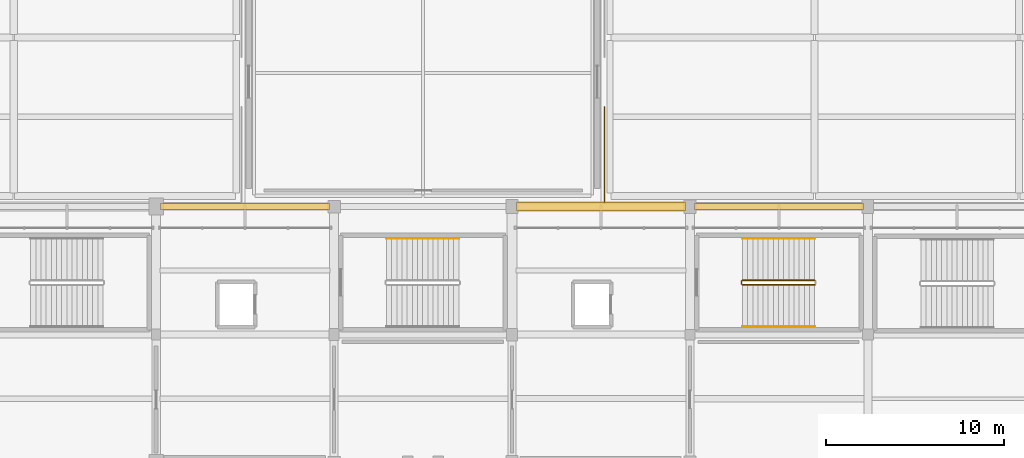
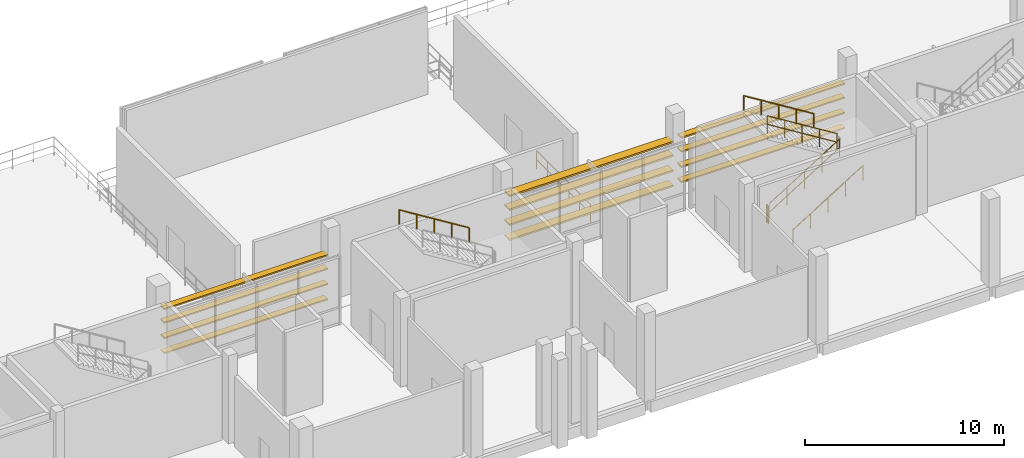
# One storey, part 107 of 111: 12 shading devices, 7 railings.
"""IFC4 building model written with IfcOpenShell, lengths in metres."""

from ifc_helpers import new_model, si_unit, direction, frame, origin, origin_2d, place, context, subcontext, project, spatial, rectangle, circle, extrude, material, layer, layer_set, type_object, element, save


model = new_model("IFC4")

# Units and contexts
model_context = context("Model", 3, precision=1e-05, world=origin(), true_north=direction((0.0, 1.0)))
body_context = subcontext(model_context, "Body", "Model", "MODEL_VIEW")
ifc_project = project(units=[si_unit("LENGTHUNIT", "METRE"), si_unit("AREAUNIT", "SQUARE_METRE"), si_unit("VOLUMEUNIT", "CUBIC_METRE"), si_unit("PLANEANGLEUNIT", "RADIAN"), si_unit("MASSUNIT", "GRAM", prefix="KILO")], contexts=[model_context])

# Site, building, storey
site_placement = place(None, origin())
site = spatial("IfcSite", under=ifc_project, at=site_placement, CompositionType="ELEMENT")
building_placement = place(site_placement, origin())
building = spatial("IfcBuilding", under=site, at=building_placement, Name="Candeia Ridge Stadium", CompositionType="ELEMENT")
storey_placement = place(building_placement, frame((0.0, 0.0, 16.199951171875)))
storey = spatial("IfcBuildingStorey", under=building, at=storey_placement, Name="L03", CompositionType="ELEMENT", Elevation=16.199951171875)

# Railings
ifc_material_1 = material(Name="Laminated Glass & Stainless Steel", Category="steel")
ifc_layer_1 = layer(ifc_material_1, 0.080078125, Name="Laminated Glass & Stainless Steel", Category="steel")
ifc_layer_set_1 = layer_set([ifc_layer_1], Name="Laminated Glass & Stainless Steel")
railing_type_1 = type_object("IfcRailingType", Name="Planted Terrace Glass-Steel Guard 1150", PredefinedType="BALUSTRADE", material=ifc_layer_set_1)
railing_1_placement = place(storey_placement, frame((116.199951171875, 152.60009765625, 0.0)))
element("IfcRailing", 1, at=railing_1_placement, inside=storey, type_object=railing_type_1, Name="Terrace perimeter balustrade GR-TER-194", PredefinedType="BALUSTRADE", context=body_context, shape_type="SweptSolid", body=[
    extrude(circle(Radius=0.02392578125, at=origin_2d()), frame((0.0, 0.0, 1.1259765625), z_axis=(0.0, -1.0, 0.0), x_axis=(1.0, 0.0, 0.0)), (0.0, 0.0, 1.0), 5.400146484375),
    extrude(circle(Radius=0.02392578125, at=origin_2d()), frame((0.0, 0.0, 0.574951171875), z_axis=(0.0, -1.0, 0.0), x_axis=(1.0, 0.0, 0.0)), (0.0, 0.0, 1.0), 5.400146484375),
    extrude(circle(Radius=0.02099609375, at=origin_2d()), origin(), (0.0, 0.0, 1.0), 1.101806640625),
    extrude(circle(Radius=0.02099609375, at=origin_2d()), frame((0.0, -1.080078125, 0.0)), (0.0, 0.0, 1.0), 1.101806640625),
    extrude(circle(Radius=0.02099609375, at=origin_2d()), frame((0.0, -2.16015625, 0.0)), (0.0, 0.0, 1.0), 1.101806640625),
    extrude(circle(Radius=0.02099609375, at=origin_2d()), frame((0.0, -3.239990234375, 0.0)), (0.0, 0.0, 1.0), 1.101806640625),
    extrude(circle(Radius=0.02099609375, at=origin_2d()), frame((0.0, -4.320068359375, 0.0)), (0.0, 0.0, 1.0), 1.101806640625),
    extrude(circle(Radius=0.02099609375, at=origin_2d()), frame((0.0, -5.400146484375, 0.0)), (0.0, 0.0, 1.0), 1.101806640625),
])
ifc_material_2 = material(Name="Brushed Stainless Steel", Category="steel")
ifc_layer_2 = layer(ifc_material_2, 0.048095703125, Name="Brushed Stainless Steel", Category="steel")
ifc_layer_set_2 = layer_set([ifc_layer_2], Name="Brushed Stainless Steel")
railing_type_2 = type_object("IfcRailingType", Name="Stair Wall & Flight Handrail 900", PredefinedType="HANDRAIL", material=ifc_layer_set_2)
railing_2_placement = place(storey_placement, frame((123.949951171875, 140.25, 0.179931640625)))
element("IfcRailing", 2, at=railing_2_placement, inside=storey, type_object=railing_type_2, Name="L03 ST10 stair handrail 1", PredefinedType="HANDRAIL", context=body_context, shape_type="SweptSolid", body=[
    extrude(circle(Radius=0.02392578125, at=origin_2d()), frame((0.0, 0.0, 0.8759765625), z_axis=(0.849641744969, 0.0, 0.527360318194), x_axis=(0.0, 1.0, 0.0)), (0.0, 0.0, 1.0), 4.778564453125),
    extrude(circle(Radius=0.02099609375, at=origin_2d()), origin(), (0.0, 0.0, 1.0), 0.851806640625),
    extrude(circle(Radius=0.02099609375, at=origin_2d()), frame((1.01513671875, 0.0, 0.6298828125)), (0.0, 0.0, 1.0), 0.851806640625),
    extrude(circle(Radius=0.02099609375, at=origin_2d()), frame((2.030029296875, 0.0, 1.260009765625)), (0.0, 0.0, 1.0), 0.851806640625),
    extrude(circle(Radius=0.02099609375, at=origin_2d()), frame((3.044921875, 0.0, 1.89013671875)), (0.0, 0.0, 1.0), 0.851806640625),
    extrude(circle(Radius=0.02099609375, at=origin_2d()), frame((4.06005859375, 0.0, 2.52001953125)), (0.0, 0.0, 1.0), 0.851806640625),
])
for number, where, name in (
    (3, (128.010009765625, 145.199951171875, 2.880126953125), "L03 ST10 stair handrail 2"),
    (4, (108.010009765625, 145.199951171875, 2.880126953125), "L03 ST17 stair handrail 2"),
):
    element("IfcRailing", number, at=place(storey_placement, frame(where)), inside=storey, type_object=railing_type_2, Name=name, PredefinedType="HANDRAIL", context=body_context, shape_type="SweptSolid", body=[
        extrude(circle(Radius=0.02392578125, at=origin_2d()), frame((0.0, 0.0, 0.8759765625), z_axis=(-0.849641744969, 0.0, 0.527360318194), x_axis=(0.0, -1.0, 0.0)), (0.0, 0.0, 1.0), 4.778564453125),
        extrude(circle(Radius=0.02099609375, at=origin_2d()), origin(), (0.0, 0.0, 1.0), 0.851806640625),
        extrude(circle(Radius=0.02099609375, at=origin_2d()), frame((-1.01513671875, 0.0, 0.6298828125)), (0.0, 0.0, 1.0), 0.851806640625),
        extrude(circle(Radius=0.02099609375, at=origin_2d()), frame((-2.030029296875, 0.0, 1.260009765625)), (0.0, 0.0, 1.0), 0.851806640625),
        extrude(circle(Radius=0.02099609375, at=origin_2d()), frame((-3.044921875, 0.0, 1.89013671875)), (0.0, 0.0, 1.0), 0.851806640625),
        extrude(circle(Radius=0.02099609375, at=origin_2d()), frame((-4.06005859375, 0.0, 2.52001953125)), (0.0, 0.0, 1.0), 0.851806640625),
    ])
ifc_material_3 = material(Name="Galvanized Powder-Coated Steel", Category="steel")
ifc_layer_3 = layer(ifc_material_3, 0.06005859375, Name="Galvanized Powder-Coated Steel", Category="steel")
ifc_layer_set_3 = layer_set([ifc_layer_3], Name="Galvanized Powder-Coated Steel")
railing_type_3 = type_object("IfcRailingType", Name="Stair Well Guardrail 1100", PredefinedType="GUARDRAIL", material=ifc_layer_set_3)
railing_3_placement = place(storey_placement, frame((123.949951171875, 142.60009765625, 0.179931640625)))
element("IfcRailing", 5, at=railing_3_placement, inside=storey, type_object=railing_type_3, Name="L03 ST10 stair guard 1", PredefinedType="GUARDRAIL", context=body_context, shape_type="SweptSolid", body=[
    extrude(circle(Radius=0.02392578125, at=origin_2d()), frame((0.0, 0.0, 1.076171875), z_axis=(0.849641744969, 0.0, 0.527360318194), x_axis=(0.0, 1.0, 0.0)), (0.0, 0.0, 1.0), 4.778564453125),
    extrude(circle(Radius=0.02392578125, at=origin_2d()), frame((0.0, 0.0, 0.550048828125), z_axis=(0.849641744969, 0.0, 0.527360318194), x_axis=(0.0, 1.0, 0.0)), (0.0, 0.0, 1.0), 4.778564453125),
    extrude(circle(Radius=0.02099609375, at=origin_2d()), origin(), (0.0, 0.0, 1.0), 1.052001953125),
    extrude(circle(Radius=0.02099609375, at=origin_2d()), frame((1.01513671875, 0.0, 0.6298828125)), (0.0, 0.0, 1.0), 1.052001953125),
    extrude(circle(Radius=0.02099609375, at=origin_2d()), frame((2.030029296875, 0.0, 1.260009765625)), (0.0, 0.0, 1.0), 1.052001953125),
    extrude(circle(Radius=0.02099609375, at=origin_2d()), frame((3.044921875, 0.0, 1.89013671875)), (0.0, 0.0, 1.0), 1.052001953125),
    extrude(circle(Radius=0.02099609375, at=origin_2d()), frame((4.06005859375, 0.0, 2.52001953125)), (0.0, 0.0, 1.0), 1.052001953125),
])
railing_4_placement = place(storey_placement, frame((128.010009765625, 142.85009765625, 2.880126953125)))
element("IfcRailing", 6, at=railing_4_placement, inside=storey, type_object=railing_type_3, Name="L03 ST10 stair guard 3", PredefinedType="GUARDRAIL", context=body_context, shape_type="SweptSolid", body=[
    extrude(circle(Radius=0.02392578125, at=origin_2d()), frame((0.0, 0.0, 1.076171875), z_axis=(-0.849641744969, 0.0, 0.527360318194), x_axis=(0.0, -1.0, 0.0)), (0.0, 0.0, 1.0), 4.778564453125),
    extrude(circle(Radius=0.02392578125, at=origin_2d()), frame((0.0, 0.0, 0.550048828125), z_axis=(-0.849641744969, 0.0, 0.527360318194), x_axis=(0.0, -1.0, 0.0)), (0.0, 0.0, 1.0), 4.778564453125),
    extrude(circle(Radius=0.02099609375, at=origin_2d()), origin(), (0.0, 0.0, 1.0), 1.052001953125),
    extrude(circle(Radius=0.02099609375, at=origin_2d()), frame((-1.01513671875, 0.0, 0.6298828125)), (0.0, 0.0, 1.0), 1.052001953125),
    extrude(circle(Radius=0.02099609375, at=origin_2d()), frame((-2.030029296875, 0.0, 1.260009765625)), (0.0, 0.0, 1.0), 1.052001953125),
    extrude(circle(Radius=0.02099609375, at=origin_2d()), frame((-3.044921875, 0.0, 1.89013671875)), (0.0, 0.0, 1.0), 1.052001953125),
    extrude(circle(Radius=0.02099609375, at=origin_2d()), frame((-4.06005859375, 0.0, 2.52001953125)), (0.0, 0.0, 1.0), 1.052001953125),
])
railing_5_placement = place(storey_placement, frame((123.89990234375, 142.64990234375, 0.0)))
element("IfcRailing", 7, at=railing_5_placement, inside=storey, type_object=railing_type_3, Name="L03 ST10 stair guard 4", PredefinedType="GUARDRAIL", context=body_context, shape_type="SweptSolid", body=[
    extrude(circle(Radius=0.02392578125, at=origin_2d()), frame((0.0, 0.0, 1.076171875), z_axis=(0.0, 1.0, 0.0), x_axis=(-1.0, 0.0, 0.0)), (0.0, 0.0, 1.0), 0.150146484375),
    extrude(circle(Radius=0.02392578125, at=origin_2d()), frame((0.0, 0.0, 0.550048828125), z_axis=(0.0, 1.0, 0.0), x_axis=(-1.0, 0.0, 0.0)), (0.0, 0.0, 1.0), 0.150146484375),
    extrude(circle(Radius=0.02099609375, at=origin_2d()), origin(), (0.0, 0.0, 1.0), 1.052001953125),
    extrude(circle(Radius=0.02099609375, at=origin_2d()), frame((0.0, 0.150146484375, 0.0)), (0.0, 0.0, 1.0), 1.052001953125),
])

# Shading devices
ifc_material_4 = material(Name="Aluminium Anodized Warm Bronze", Category="aluminium")
shading_device_type_1 = type_object("IfcShadingDeviceType", Name="Weathered Bronze Horizontal Solar Rib 380x85", PredefinedType="JALOUSIE", material=ifc_material_4)
for number, where, z_axis, x_axis, name in (
    (8, (126.0, 147.0, 0.891357421875), (0.0, 0.0, 1.0), (-1.0, 0.0, 0.0), "Weathered bronze horizontal solar rib L03 bay 02-1"),
    (9, (126.0, 147.0, 1.825439453125), (0.0, 0.0, 1.0), (-1.0, 0.0, 0.0), "Weathered bronze horizontal solar rib L03 bay 02-2"),
    (10, (126.0, 147.0, 2.75927734375), (0.0, 0.0, 1.0), (-1.0, 0.0, 0.0), "Weathered bronze horizontal solar rib L03 bay 02-3"),
    (11, (126.0, 147.0, 3.608154296875), (0.0, 0.0, 1.0), (-1.0, 0.0, 0.0), "Weathered bronze horizontal solar rib L03 bay 02-4"),
    (12, (96.0, 147.0, 0.891357421875), (0.0, 0.0, 1.0), (-1.0, 0.0, 0.0), "Weathered bronze horizontal solar rib L03 bay 05-1"),
    (13, (96.0, 147.0, 1.825439453125), (0.0, 0.0, 1.0), (-1.0, 0.0, 0.0), "Weathered bronze horizontal solar rib L03 bay 05-2"),
    (14, (96.0, 147.0, 2.75927734375), (0.0, 0.0, 1.0), (-1.0, 0.0, 0.0), "Weathered bronze horizontal solar rib L03 bay 05-3"),
    (15, (96.0, 147.0, 3.608154296875), (0.0, 0.0, 1.0), (-1.0, 0.0, 0.0), "Weathered bronze horizontal solar rib L03 bay 05-4"),
):
    element("IfcShadingDevice", number, at=place(storey_placement, frame(where, z_axis=z_axis, x_axis=x_axis)), inside=storey, type_object=shading_device_type_1, Name=name, PredefinedType="JALOUSIE", context=body_context, shape_type="SweptSolid", body=[
        extrude(rectangle(XDim=9.5, YDim=0.3798828125, at=origin_2d()), origin(), (0.0, 0.0, 1.0), 0.0849609375),
    ])
shading_device_type_2 = type_object("IfcShadingDeviceType", Name="Weathered Bronze Horizontal Solar Rib 500x105", PredefinedType="JALOUSIE", material=ifc_material_4)
for number, where, z_axis, x_axis, name in (
    (16, (116.0, 147.0, 0.87255859375), (0.0, 0.0, 1.0), (-1.0, 0.0, 0.0), "Weathered bronze horizontal solar rib L03 bay 03-1"),
    (17, (116.0, 147.0, 1.7978515625), (0.0, 0.0, 1.0), (-1.0, 0.0, 0.0), "Weathered bronze horizontal solar rib L03 bay 03-2"),
    (18, (116.0, 147.0, 2.722900390625), (0.0, 0.0, 1.0), (-1.0, 0.0, 0.0), "Weathered bronze horizontal solar rib L03 bay 03-3"),
    (19, (116.0, 147.0, 3.56396484375), (0.0, 0.0, 1.0), (-1.0, 0.0, 0.0), "Weathered bronze horizontal solar rib L03 bay 03-4"),
):
    element("IfcShadingDevice", number, at=place(storey_placement, frame(where, z_axis=z_axis, x_axis=x_axis)), inside=storey, type_object=shading_device_type_2, Name=name, PredefinedType="JALOUSIE", context=body_context, shape_type="SweptSolid", body=[
        extrude(rectangle(XDim=9.5, YDim=0.5, at=origin_2d()), origin(), (0.0, 0.0, 1.0), 0.10498046875),
    ])

save(model, "model.ifc")
